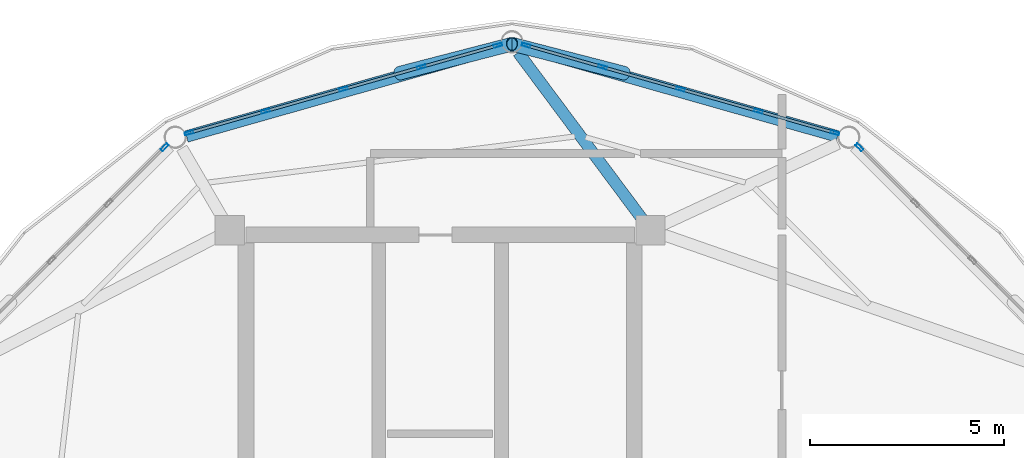
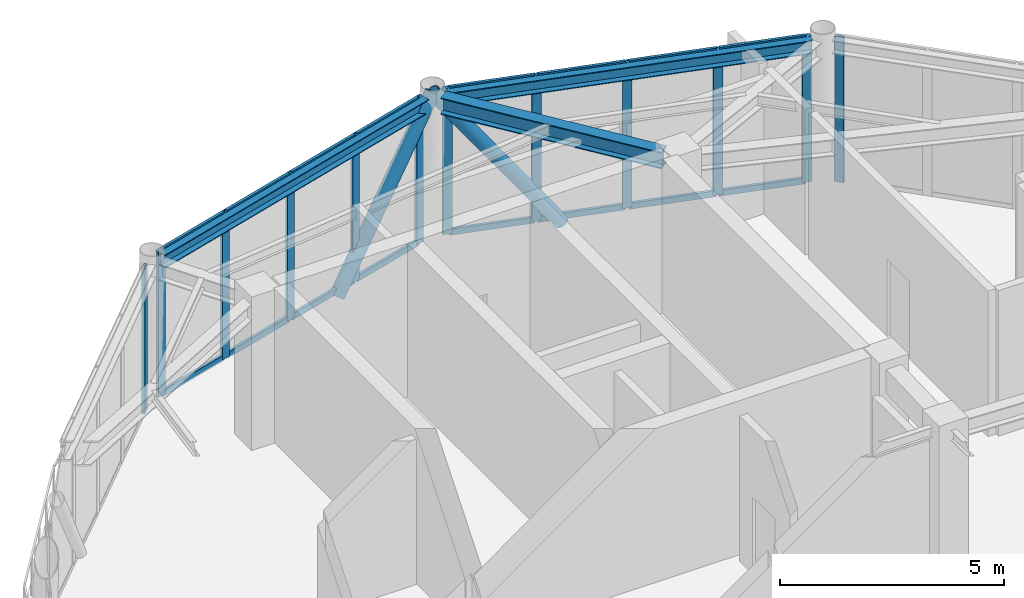
# One storey, part 14 of 20: 30 members, 3 beams, 4 elements without a shape of their own.
"""IFC4 building model written with IfcOpenShell, lengths in metres."""

import ifcopenshell
import ifcopenshell.guid

model = None  # the IFC model being written
_history = None  # IfcOwnerHistory: only IFC2X3 demands one
_inside = {}  # id of a spatial element -> (the spatial element, [elements in it])
_under = {}  # id of a project, library or spatial element -> (it, [spatial elements below it])
_declared = {}  # id of a project -> (the project, [libraries it declares])
_typed = {}  # id of a type object -> (the type object, [elements of that type])
_made_of = {}  # id of a material, layer set ... -> (it, [elements and type objects made of it])


def new_model(schema):
    """Start an empty IFC model of exactly this schema.

    Asked for "IFC4X3", IfcOpenShell would pick the latest addendum, in which some entities
    have other attributes; the version numbers below select the first issue.
    IFC2X3 requires an IfcOwnerHistory on every rooted entity: one is made here for all.
    """
    global model, _history
    if schema == "IFC4X3":
        model = ifcopenshell.file(schema_version=(4, 3, 0, 0))
    else:
        model = ifcopenshell.file(schema=schema)
    _inside.clear()
    _under.clear()
    _declared.clear()
    _typed.clear()
    _made_of.clear()
    _history = None
    if model.schema == "IFC2X3":
        org = make("IfcOrganization", Name="unknown")
        user = make(
            "IfcPersonAndOrganization",
            ThePerson=make("IfcPerson", FamilyName="unknown"),
            TheOrganization=org,
        )
        app = make(
            "IfcApplication",
            ApplicationDeveloper=org,
            Version="unknown",
            ApplicationFullName="unknown",
            ApplicationIdentifier="unknown",
        )
        _history = make(
            "IfcOwnerHistory",
            OwningUser=user,
            OwningApplication=app,
            ChangeAction="ADDED",
            CreationDate=0,
        )
    return model


def make(cls, **values):
    """One entity of the class cls with the attributes given. An attribute that is None is left unset."""
    return model.create_entity(
        cls, **{name: value for name, value in values.items() if value is not None}
    )


def rooted(cls, **values):
    """An entity with a GlobalId (a new one), such as an element, a storey or a relation."""
    return make(cls, GlobalId=ifcopenshell.guid.new(), OwnerHistory=_history, **values)


def si_unit(unit_type, name, prefix=None):
    """IfcSIUnit, for example si_unit("LENGTHUNIT", "METRE", prefix="MILLI")."""
    return make("IfcSIUnit", UnitType=unit_type, Prefix=prefix, Name=name)


def assignment(units):
    """IfcUnitAssignment: the units of a project."""
    return None if units is None else make("IfcUnitAssignment", Units=units)


def point(xyz):
    """IfcCartesianPoint."""
    return None if xyz is None else make("IfcCartesianPoint", Coordinates=xyz)


def direction(xyz):
    """IfcDirection."""
    return None if xyz is None else make("IfcDirection", DirectionRatios=xyz)


def frame(location, z_axis=None, x_axis=None):
    """IfcAxis2Placement3D, a coordinate frame: its origin and axes. An axis left out is left unset."""
    return make(
        "IfcAxis2Placement3D",
        Location=point(location),
        Axis=direction(z_axis),
        RefDirection=direction(x_axis),
    )


def frame_2d(location, x_axis=None):
    """IfcAxis2Placement2D, a coordinate frame in the plane: its origin and x axis."""
    return make(
        "IfcAxis2Placement2D", Location=point(location), RefDirection=direction(x_axis)
    )


def origin():
    """The frame at (0, 0, 0) with its axes left unset."""
    return frame((0.0, 0.0, 0.0))


def origin_2d():
    """The frame at (0, 0) in the plane with its x axis left unset."""
    return frame_2d((0.0, 0.0))


def place(relative_to, where):
    """IfcLocalPlacement: puts the frame where relative to a parent placement (None: the world)."""
    return make(
        "IfcLocalPlacement", PlacementRelTo=relative_to, RelativePlacement=where
    )


def context(
    kind, dimensions, precision=None, world=None, true_north=None, identifier=None
):
    """IfcGeometricRepresentationContext, for example the 3D "Model" context."""
    return make(
        "IfcGeometricRepresentationContext",
        ContextIdentifier=identifier,
        ContextType=kind,
        CoordinateSpaceDimension=dimensions,
        Precision=precision,
        WorldCoordinateSystem=world,
        TrueNorth=true_north,
    )


def subcontext(parent, identifier, kind, view, scale=None):
    """IfcGeometricRepresentationSubContext, for example "Body" below "Model"."""
    return make(
        "IfcGeometricRepresentationSubContext",
        ContextIdentifier=identifier,
        ContextType=kind,
        ParentContext=parent,
        TargetScale=scale,
        TargetView=view,
    )


def project(units=None, contexts=None):
    """IfcProject with its units and contexts."""
    return rooted(
        "IfcProject",
        Name="project",
        RepresentationContexts=contexts,
        UnitsInContext=assignment(units),
    )


def spatial(cls, under=None, at=None, **own):
    """A site, building, storey or space (cls), placed at a placement, below another one or the project."""
    s = rooted(cls, ObjectPlacement=at, **own)
    if under is not None:
        _under.setdefault(under.id(), (under, []))[1].append(s)
    return s


def profile(cls, at=None, kind="AREA", **sizes):
    """A parametric profile (cls). Its sizes go by their IFC names, for example OverallWidth=200.0."""
    return make(cls, ProfileType=kind, Position=at, **sizes)


def hollow_rectangle(**sizes):
    """IfcRectangleHollowProfileDef."""
    return profile("IfcRectangleHollowProfileDef", **sizes)


def hollow_circle(**sizes):
    """IfcCircleHollowProfileDef."""
    return profile("IfcCircleHollowProfileDef", **sizes)


def i_section(**sizes):
    """IfcIShapeProfileDef."""
    return profile("IfcIShapeProfileDef", **sizes)


def extrude(swept, where, along, depth):
    """IfcExtrudedAreaSolid: the profile swept, set in the frame where, extruded along a direction by depth."""
    return make(
        "IfcExtrudedAreaSolid",
        SweptArea=swept,
        Position=where,
        ExtrudedDirection=direction(along),
        Depth=depth,
    )


def shape(context_of_items, identifier, shape_type, items):
    """IfcShapeRepresentation: the items that make up one representation, for example the "Body"."""
    return make(
        "IfcShapeRepresentation",
        ContextOfItems=context_of_items,
        RepresentationIdentifier=identifier,
        RepresentationType=shape_type,
        Items=items,
    )


def material(Name=None, Category=None):
    """IfcMaterial."""
    return make("IfcMaterial", Name=Name, Category=Category)


def layer(
    of_material, thickness, ventilated=None, Name=None, Category=None, Priority=None
):
    """IfcMaterialLayer: one layer of a wall or slab, of a material (None: an air gap)."""
    return make(
        "IfcMaterialLayer",
        Material=of_material,
        LayerThickness=thickness,
        IsVentilated=ventilated,
        Name=Name,
        Category=Category,
        Priority=Priority,
    )


def layer_set(layers, Name=None):
    """IfcMaterialLayerSet."""
    return make("IfcMaterialLayerSet", MaterialLayers=layers, LayerSetName=Name)


def material_profile(
    of_material, cross_section, Name=None, Category=None, Priority=None
):
    """IfcMaterialProfile: a cross section and its material."""
    return make(
        "IfcMaterialProfile",
        Name=Name,
        Material=of_material,
        Profile=cross_section,
        Priority=Priority,
        Category=Category,
    )


def profile_set(profiles, Name=None, composite=None):
    """IfcMaterialProfileSet."""
    return make(
        "IfcMaterialProfileSet",
        Name=Name,
        MaterialProfiles=profiles,
        CompositeProfile=composite,
    )


def made_of(thing, what):
    """Note that an element or type object is made of a material, layer set ...; save() writes the relation."""
    if what is not None:
        _made_of.setdefault(what.id(), (what, []))[1].append(thing)
    return thing


def type_object(cls, material=None, **own):
    """A type object (cls), such as IfcWallType, which elements share."""
    return made_of(rooted(cls, **own), material)


def element(
    cls,
    number,
    at=None,
    inside=None,
    cuts=None,
    type_object=None,
    material=None,
    context=None,
    identifier="Body",
    shape_type=None,
    held_by="IfcProductDefinitionShape",
    body=None,
    shapes=None,
    **own,
):
    """One element of the class cls, such as IfcWall. Its Tag is "e" and its number.

    at: its placement. inside: the storey or other place that contains it. cuts: it is an
    opening in that element (IfcRelVoidsElement). A single representation is given by context,
    identifier, shape_type and body (its items); several are given by shapes. held_by: the class
    of the entity that holds the representations. save() writes the other relations.
    """
    e = rooted(cls, Tag="e%d" % number, ObjectPlacement=at, **own)
    if body is not None:
        shapes = [shape(context, identifier, shape_type, body)]
    if shapes is not None:
        e.Representation = make(held_by, Representations=shapes)
    if inside is not None:
        _inside.setdefault(inside.id(), (inside, []))[1].append(e)
    if cuts is not None:
        rooted(
            "IfcRelVoidsElement", RelatingBuildingElement=cuts, RelatedOpeningElement=e
        )
    if type_object is not None:
        _typed.setdefault(type_object.id(), (type_object, []))[1].append(e)
    return made_of(e, material)


def aggregate(whole, parts):
    """IfcRelAggregates: a whole, such as a stair, and the parts it consists of."""
    return rooted("IfcRelAggregates", RelatingObject=whole, RelatedObjects=parts)


def save(model, path):
    """Write the relations noted so far, then the file.

    IfcRelAggregates (storeys below a building ...), IfcRelContainedInSpatialStructure (elements
    in a storey), IfcRelDefinesByType, IfcRelAssociatesMaterial and IfcRelDeclares: one each for
    every whole, place, type object, material and project.
    """
    for whole, parts in _under.values():
        aggregate(whole, parts)
    for where, things in _inside.values():
        rooted(
            "IfcRelContainedInSpatialStructure",
            RelatedElements=things,
            RelatingStructure=where,
        )
    for kind, things in _typed.values():
        rooted("IfcRelDefinesByType", RelatedObjects=things, RelatingType=kind)
    for what, things in _made_of.values():
        rooted("IfcRelAssociatesMaterial", RelatedObjects=things, RelatingMaterial=what)
    for by, libraries in _declared.values():
        rooted("IfcRelDeclares", RelatingContext=by, RelatedDefinitions=libraries)
    model.write(path)


model = new_model("IFC4")

# Units and contexts
model_context = context("Model", 3, precision=1e-05, world=origin(), true_north=direction((0.0, 1.0)))
body_context = subcontext(model_context, "Body", "Model", "MODEL_VIEW")
ifc_project = project(units=[si_unit("LENGTHUNIT", "METRE"), si_unit("AREAUNIT", "SQUARE_METRE"), si_unit("VOLUMEUNIT", "CUBIC_METRE"), si_unit("PLANEANGLEUNIT", "RADIAN"), si_unit("MASSUNIT", "GRAM", prefix="KILO")], contexts=[model_context])

# Site, building, storey
site_placement = place(None, origin())
site = spatial("IfcSite", under=ifc_project, at=site_placement, CompositionType="ELEMENT")
building_placement = place(site_placement, origin())
building = spatial("IfcBuilding", under=site, at=building_placement, Name="Varnakorn Sky Granary", CompositionType="ELEMENT")
storey_placement = place(building_placement, frame((0.0, 0.0, 302.39990234375)))
storey = spatial("IfcBuildingStorey", under=building, at=storey_placement, Name="L77", CompositionType="ELEMENT", Elevation=302.39990234375)

# Beams
ifc_material_1 = material(Name="Steel S355JR", Category="steel")
ifc_material_profile_1 = material_profile(ifc_material_1, i_section(OverallWidth=0.300048828125, OverallDepth=0.449951171875, WebThickness=0.013916015625, FlangeThickness=0.02587890625, at=origin_2d()), Name="HE 450 B")
ifc_profile_set_1 = profile_set([ifc_material_profile_1], Name="Steel S355JR")
beam_type_1 = type_object("IfcBeamType", Name="BM-RAD-Z5", PredefinedType="BEAM", material=ifc_profile_set_1)
beam_placement = place(storey_placement, frame((8.2080078125, 12.90478515625, 3.735107421875), z_axis=(-0.597262403932, 0.802045896972, 0.0), x_axis=(-0.802045896972, -0.597262403932, 0.0)))
element("IfcBeam", 1, at=beam_placement, inside=storey, type_object=beam_type_1, Name="Radial Floor Girder RG04 L77", PredefinedType="BEAM", context=body_context, shape_type="SweptSolid", body=[
    extrude(i_section(OverallWidth=0.300048828125, OverallDepth=0.449951171875, WebThickness=0.013916015625, FlangeThickness=0.02587890625, at=origin_2d()), origin(), (0.0, 0.0, 1.0), 5.357666015625),
])
ifc_material_profile_2 = material_profile(ifc_material_1, i_section(OverallWidth=0.300048828125, OverallDepth=0.360107421875, WebThickness=0.012451171875, FlangeThickness=0.0224609375, at=origin_2d()), Name="HE 360 B")
ifc_profile_set_2 = profile_set([ifc_material_profile_2], Name="Steel S355JR")
beam_type_2 = type_object("IfcBeamType", Name="BM-SPD-Z5", PredefinedType="SPANDREL", material=ifc_profile_set_2)
for number, where, z_axis, x_axis, name in (
    (2, (13.2314453125, 15.036376953125, 3.780029296875), (-0.962040266262, 0.272907541286, 0.0), (-0.272907541286, -0.962040266262, 0.0), "Perimeter Spandrel Ring Beam RB03 L77"),
    (3, (4.595458984375, 17.341796875, 3.780029296875), (-0.962040266262, -0.272907541286, 0.0), (0.272907541286, -0.962040266262, 0.0), "Perimeter Spandrel Ring Beam RB04 L77"),
):
    element("IfcBeam", number, at=place(storey_placement, frame(where, z_axis=z_axis, x_axis=x_axis)), inside=storey, type_object=beam_type_2, Name=name, PredefinedType="SPANDREL", context=body_context, shape_type="SweptSolid", body=[
        extrude(i_section(OverallWidth=0.300048828125, OverallDepth=0.360107421875, WebThickness=0.012451171875, FlangeThickness=0.0224609375, at=origin_2d()), origin(), (0.0, 0.0, 1.0), 8.447509765625),
    ])

# Curtain wall, member
ifc_material_2 = material(Name="Anodised Bronze Aluminium Alloy 6063-T6", Category="aluminium")
ifc_layer = layer(ifc_material_2, 0.22998046875, Name="Anodised Bronze Aluminium Alloy 6063-T6")
ifc_layer_set = layer_set([ifc_layer], Name="Anodised Bronze Aluminium Alloy 6063-T6")
curtain_wall_type = type_object("IfcCurtainWallType", Name="CW-LNT-1", PredefinedType="USERDEFINED", material=ifc_layer_set)
curtain_wall_1_placement = place(storey_placement, origin())
curtain_wall_1 = element("IfcCurtainWall", 4, at=curtain_wall_1_placement, inside=storey, type_object=curtain_wall_type, Name="Unitised Curtain Wall CW7 CW-L77-B02", ObjectType="CURTAIN WALL", PredefinedType="USERDEFINED")
ifc_material_profile_3 = material_profile(ifc_material_2, hollow_rectangle(XDim=0.074951171875, YDim=0.219970703125, WallThickness=0.00390625, at=origin_2d()), Name="ALU MULL 75x220")
ifc_profile_set_3 = profile_set([ifc_material_profile_3], Name="Anodised Bronze Aluminium Alloy 6063-T6")
member_type_1 = type_object("IfcMemberType", Name="CW-LNT-1-MULL", PredefinedType="MULLION", material=ifc_profile_set_3)
member_1_placement = place(storey_placement, frame((13.795654296875, 14.760009765625, 0.0), z_axis=(0.0, 0.0, 1.0), x_axis=(0.706962264777, 0.707251268066, 0.0)))
member_1 = element("IfcMember", 5, at=member_1_placement, type_object=member_type_1, Name="CW7 mullion 1", PredefinedType="MULLION", context=body_context, shape_type="SweptSolid", body=[
    extrude(hollow_rectangle(XDim=0.074951171875, YDim=0.219970703125, WallThickness=0.00390625, at=origin_2d()), origin(), (0.0, 0.0, 1.0), 3.960205078125),
])
aggregate(curtain_wall_1, [member_1])

# Curtain wall, members
curtain_wall_2_placement = place(storey_placement, origin())
curtain_wall_2 = element("IfcCurtainWall", 6, at=curtain_wall_2_placement, inside=storey, type_object=curtain_wall_type, Name="Unitised Curtain Wall CW7 CW-L77-B03", ObjectType="CURTAIN WALL", PredefinedType="USERDEFINED")
member_2_placement = place(storey_placement, frame((5.212646484375, 17.383056640625, 0.0), z_axis=(0.0, 0.0, 1.0), x_axis=(0.272649549095, 0.962113415029, 0.0)))
member_2 = element("IfcMember", 7, at=member_2_placement, type_object=member_type_1, Name="CW7 mullion 1", PredefinedType="MULLION", context=body_context, shape_type="SweptSolid", body=[
    extrude(hollow_rectangle(XDim=0.074951171875, YDim=0.219970703125, WallThickness=0.00390625, at=origin_2d()), origin(), (0.0, 0.0, 1.0), 3.960205078125),
])
member_3_placement = place(storey_placement, frame((7.18310546875, 16.82470703125, 0.0), z_axis=(0.0, 0.0, 1.0), x_axis=(0.272649549095, 0.962113415029, 0.0)))
member_3 = element("IfcMember", 8, at=member_3_placement, type_object=member_type_1, Name="CW7 mullion 2", PredefinedType="MULLION", context=body_context, shape_type="SweptSolid", body=[
    extrude(hollow_rectangle(XDim=0.074951171875, YDim=0.219970703125, WallThickness=0.00390625, at=origin_2d()), origin(), (0.0, 0.0, 1.0), 3.960205078125),
])
member_4_placement = place(storey_placement, frame((9.189453125, 16.256103515625, 0.0), z_axis=(0.0, 0.0, 1.0), x_axis=(0.272649549095, 0.962113415029, 0.0)))
member_4 = element("IfcMember", 9, at=member_4_placement, type_object=member_type_1, Name="CW7 mullion 3", PredefinedType="MULLION", context=body_context, shape_type="SweptSolid", body=[
    extrude(hollow_rectangle(XDim=0.074951171875, YDim=0.219970703125, WallThickness=0.00390625, at=origin_2d()), origin(), (0.0, 0.0, 1.0), 3.960205078125),
])
member_5_placement = place(storey_placement, frame((11.196044921875, 15.6875, 0.0), z_axis=(0.0, 0.0, 1.0), x_axis=(0.272649549095, 0.962113415029, 0.0)))
member_5 = element("IfcMember", 10, at=member_5_placement, type_object=member_type_1, Name="CW7 mullion 4", PredefinedType="MULLION", context=body_context, shape_type="SweptSolid", body=[
    extrude(hollow_rectangle(XDim=0.074951171875, YDim=0.219970703125, WallThickness=0.00390625, at=origin_2d()), origin(), (0.0, 0.0, 1.0), 3.960205078125),
])
member_6_placement = place(storey_placement, frame((13.166259765625, 15.129150390625, 0.0), z_axis=(0.0, 0.0, 1.0), x_axis=(0.272649549095, 0.962113415029, 0.0)))
member_6 = element("IfcMember", 11, at=member_6_placement, type_object=member_type_1, Name="CW7 mullion 5", PredefinedType="MULLION", context=body_context, shape_type="SweptSolid", body=[
    extrude(hollow_rectangle(XDim=0.074951171875, YDim=0.219970703125, WallThickness=0.00390625, at=origin_2d()), origin(), (0.0, 0.0, 1.0), 3.960205078125),
])

curtain_wall_3_placement = place(storey_placement, origin())
curtain_wall_3 = element("IfcCurtainWall", 12, at=curtain_wall_3_placement, inside=storey, type_object=curtain_wall_type, Name="Unitised Curtain Wall CW7 CW-L77-B04", ObjectType="CURTAIN WALL", PredefinedType="USERDEFINED")
member_7_placement = place(storey_placement, frame((-3.46630859375, 15.129150390625, 0.0), z_axis=(0.0, 0.0, 1.0), x_axis=(-0.272649549095, 0.962113415029, 0.0)))
member_7 = element("IfcMember", 13, at=member_7_placement, type_object=member_type_1, Name="CW7 mullion 1", PredefinedType="MULLION", context=body_context, shape_type="SweptSolid", body=[
    extrude(hollow_rectangle(XDim=0.074951171875, YDim=0.219970703125, WallThickness=0.00390625, at=origin_2d()), origin(), (0.0, 0.0, 1.0), 3.960205078125),
])
member_8_placement = place(storey_placement, frame((-1.495849609375, 15.6875, 0.0), z_axis=(0.0, 0.0, 1.0), x_axis=(-0.272649549095, 0.962113415029, 0.0)))
member_8 = element("IfcMember", 14, at=member_8_placement, type_object=member_type_1, Name="CW7 mullion 2", PredefinedType="MULLION", context=body_context, shape_type="SweptSolid", body=[
    extrude(hollow_rectangle(XDim=0.074951171875, YDim=0.219970703125, WallThickness=0.00390625, at=origin_2d()), origin(), (0.0, 0.0, 1.0), 3.960205078125),
])
member_9_placement = place(storey_placement, frame((0.510498046875, 16.256103515625, 0.0), z_axis=(0.0, 0.0, 1.0), x_axis=(-0.272649549095, 0.962113415029, 0.0)))
member_9 = element("IfcMember", 15, at=member_9_placement, type_object=member_type_1, Name="CW7 mullion 3", PredefinedType="MULLION", context=body_context, shape_type="SweptSolid", body=[
    extrude(hollow_rectangle(XDim=0.074951171875, YDim=0.219970703125, WallThickness=0.00390625, at=origin_2d()), origin(), (0.0, 0.0, 1.0), 3.960205078125),
])
member_10_placement = place(storey_placement, frame((2.516845703125, 16.82470703125, 0.0), z_axis=(0.0, 0.0, 1.0), x_axis=(-0.272649549095, 0.962113415029, 0.0)))
member_10 = element("IfcMember", 16, at=member_10_placement, type_object=member_type_1, Name="CW7 mullion 4", PredefinedType="MULLION", context=body_context, shape_type="SweptSolid", body=[
    extrude(hollow_rectangle(XDim=0.074951171875, YDim=0.219970703125, WallThickness=0.00390625, at=origin_2d()), origin(), (0.0, 0.0, 1.0), 3.960205078125),
])
member_11_placement = place(storey_placement, frame((4.4873046875, 17.383056640625, 0.0), z_axis=(0.0, 0.0, 1.0), x_axis=(-0.272649549095, 0.962113415029, 0.0)))
member_11 = element("IfcMember", 17, at=member_11_placement, type_object=member_type_1, Name="CW7 mullion 5", PredefinedType="MULLION", context=body_context, shape_type="SweptSolid", body=[
    extrude(hollow_rectangle(XDim=0.074951171875, YDim=0.219970703125, WallThickness=0.00390625, at=origin_2d()), origin(), (0.0, 0.0, 1.0), 3.960205078125),
])

# Curtain wall, member
curtain_wall_4_placement = place(storey_placement, origin())
curtain_wall_4 = element("IfcCurtainWall", 18, at=curtain_wall_4_placement, inside=storey, type_object=curtain_wall_type, Name="Unitised Curtain Wall CW7 CW-L77-B05", ObjectType="CURTAIN WALL", PredefinedType="USERDEFINED")
member_12_placement = place(storey_placement, frame((-4.095703125, 14.760009765625, 0.0), z_axis=(0.0, 0.0, 1.0), x_axis=(-0.706962264777, 0.707251268066, 0.0)))
member_12 = element("IfcMember", 19, at=member_12_placement, type_object=member_type_1, Name="CW7 mullion 5", PredefinedType="MULLION", context=body_context, shape_type="SweptSolid", body=[
    extrude(hollow_rectangle(XDim=0.074951171875, YDim=0.219970703125, WallThickness=0.00390625, at=origin_2d()), origin(), (0.0, 0.0, 1.0), 3.960205078125),
])
aggregate(curtain_wall_4, [member_12])

# Member
ifc_material_profile_4 = material_profile(ifc_material_2, hollow_rectangle(XDim=0.074951171875, YDim=0.159912109375, WallThickness=0.00390625, at=origin_2d()), Name="ALU TRAN 75x160")
ifc_profile_set_4 = profile_set([ifc_material_profile_4], Name="Anodised Bronze Aluminium Alloy 6063-T6")
member_type_2 = type_object("IfcMemberType", Name="CW-LNT-1-TRAN", PredefinedType="USERDEFINED", material=ifc_profile_set_4)
member_13_placement = place(storey_placement, frame((5.248779296875, 17.373046875, 0.03759765625), z_axis=(0.962091559003, -0.27272666187, 0.0), x_axis=(0.27272666187, 0.962091559003, 0.0)))
member_13 = element("IfcMember", 20, at=member_13_placement, type_object=member_type_2, Name="CW7 transom 1.1", ObjectType="TRANSOM", PredefinedType="USERDEFINED", context=body_context, shape_type="SweptSolid", body=[
    extrude(hollow_rectangle(XDim=0.074951171875, YDim=0.159912109375, WallThickness=0.00390625, at=origin_2d()), origin(), (0.0, 0.0, 1.0), 1.972900390625),
])

member_14_placement = place(storey_placement, frame((5.248779296875, 17.373046875, 3.922607421875), z_axis=(0.962091559003, -0.27272666187, 0.0), x_axis=(0.27272666187, 0.962091559003, 0.0)))
member_14 = element("IfcMember", 21, at=member_14_placement, type_object=member_type_2, Name="CW7 transom 1.2", ObjectType="TRANSOM", PredefinedType="USERDEFINED", context=body_context, shape_type="SweptSolid", body=[
    extrude(hollow_rectangle(XDim=0.074951171875, YDim=0.159912109375, WallThickness=0.00390625, at=origin_2d()), origin(), (0.0, 0.0, 1.0), 1.972900390625),
])

member_15_placement = place(storey_placement, frame((7.21923828125, 16.814697265625, 0.03759765625), z_axis=(0.962081058042, -0.272763703151, 0.0), x_axis=(0.272763703151, 0.962081058042, 0.0)))
member_15 = element("IfcMember", 22, at=member_15_placement, type_object=member_type_2, Name="CW7 transom 2.1", ObjectType="TRANSOM", PredefinedType="USERDEFINED", context=body_context, shape_type="SweptSolid", body=[
    extrude(hollow_rectangle(XDim=0.074951171875, YDim=0.159912109375, WallThickness=0.00390625, at=origin_2d()), origin(), (0.0, 0.0, 1.0), 2.01025390625),
])

member_16_placement = place(storey_placement, frame((7.21923828125, 16.814697265625, 3.922607421875), z_axis=(0.962081058042, -0.272763703151, 0.0), x_axis=(0.272763703151, 0.962081058042, 0.0)))
member_16 = element("IfcMember", 23, at=member_16_placement, type_object=member_type_2, Name="CW7 transom 2.2", ObjectType="TRANSOM", PredefinedType="USERDEFINED", context=body_context, shape_type="SweptSolid", body=[
    extrude(hollow_rectangle(XDim=0.074951171875, YDim=0.159912109375, WallThickness=0.00390625, at=origin_2d()), origin(), (0.0, 0.0, 1.0), 2.01025390625),
])

member_17_placement = place(storey_placement, frame((9.2255859375, 16.24609375, 0.03759765625), z_axis=(0.962090091913, -0.272731837238, 0.0), x_axis=(0.272731837238, 0.962090091913, 0.0)))
member_17 = element("IfcMember", 24, at=member_17_placement, type_object=member_type_2, Name="CW7 transom 3.1", ObjectType="TRANSOM", PredefinedType="USERDEFINED", context=body_context, shape_type="SweptSolid", body=[
    extrude(hollow_rectangle(XDim=0.074951171875, YDim=0.159912109375, WallThickness=0.00390625, at=origin_2d()), origin(), (0.0, 0.0, 1.0), 2.010498046875),
])

member_18_placement = place(storey_placement, frame((9.2255859375, 16.24609375, 3.922607421875), z_axis=(0.962090091913, -0.272731837238, 0.0), x_axis=(0.272731837238, 0.962090091913, 0.0)))
member_18 = element("IfcMember", 25, at=member_18_placement, type_object=member_type_2, Name="CW7 transom 3.2", ObjectType="TRANSOM", PredefinedType="USERDEFINED", context=body_context, shape_type="SweptSolid", body=[
    extrude(hollow_rectangle(XDim=0.074951171875, YDim=0.159912109375, WallThickness=0.00390625, at=origin_2d()), origin(), (0.0, 0.0, 1.0), 2.010498046875),
])

member_19_placement = place(storey_placement, frame((11.23193359375, 15.677490234375, 0.03759765625), z_axis=(0.962091559003, -0.27272666187, 0.0), x_axis=(0.27272666187, 0.962091559003, 0.0)))
member_19 = element("IfcMember", 26, at=member_19_placement, type_object=member_type_2, Name="CW7 transom 4.1", ObjectType="TRANSOM", PredefinedType="USERDEFINED", context=body_context, shape_type="SweptSolid", body=[
    extrude(hollow_rectangle(XDim=0.074951171875, YDim=0.159912109375, WallThickness=0.00390625, at=origin_2d()), origin(), (0.0, 0.0, 1.0), 1.972900390625),
])

member_20_placement = place(storey_placement, frame((11.23193359375, 15.677490234375, 3.922607421875), z_axis=(0.962091559003, -0.27272666187, 0.0), x_axis=(0.27272666187, 0.962091559003, 0.0)))
member_20 = element("IfcMember", 27, at=member_20_placement, type_object=member_type_2, Name="CW7 transom 4.2", ObjectType="TRANSOM", PredefinedType="USERDEFINED", context=body_context, shape_type="SweptSolid", body=[
    extrude(hollow_rectangle(XDim=0.074951171875, YDim=0.159912109375, WallThickness=0.00390625, at=origin_2d()), origin(), (0.0, 0.0, 1.0), 1.972900390625),
])

aggregate(curtain_wall_2, [member_2, member_3, member_4, member_5, member_6, member_13, member_14, member_15, member_16, member_17, member_18, member_19, member_20])

member_21_placement = place(storey_placement, frame((-3.43017578125, 15.139404296875, 0.03759765625), z_axis=(0.962091559003, 0.27272666187, 0.0), x_axis=(-0.27272666187, 0.962091559003, 0.0)))
member_21 = element("IfcMember", 28, at=member_21_placement, type_object=member_type_2, Name="CW7 transom 1.1", ObjectType="TRANSOM", PredefinedType="USERDEFINED", context=body_context, shape_type="SweptSolid", body=[
    extrude(hollow_rectangle(XDim=0.074951171875, YDim=0.159912109375, WallThickness=0.00390625, at=origin_2d()), origin(), (0.0, 0.0, 1.0), 1.972900390625),
])

member_22_placement = place(storey_placement, frame((-3.43017578125, 15.139404296875, 3.922607421875), z_axis=(0.962091559003, 0.27272666187, 0.0), x_axis=(-0.27272666187, 0.962091559003, 0.0)))
member_22 = element("IfcMember", 29, at=member_22_placement, type_object=member_type_2, Name="CW7 transom 1.2", ObjectType="TRANSOM", PredefinedType="USERDEFINED", context=body_context, shape_type="SweptSolid", body=[
    extrude(hollow_rectangle(XDim=0.074951171875, YDim=0.159912109375, WallThickness=0.00390625, at=origin_2d()), origin(), (0.0, 0.0, 1.0), 1.972900390625),
])

member_23_placement = place(storey_placement, frame((-1.4599609375, 15.69775390625, 0.03759765625), z_axis=(0.962090091913, 0.272731837238, 0.0), x_axis=(-0.272731837238, 0.962090091913, 0.0)))
member_23 = element("IfcMember", 30, at=member_23_placement, type_object=member_type_2, Name="CW7 transom 2.1", ObjectType="TRANSOM", PredefinedType="USERDEFINED", context=body_context, shape_type="SweptSolid", body=[
    extrude(hollow_rectangle(XDim=0.074951171875, YDim=0.159912109375, WallThickness=0.00390625, at=origin_2d()), origin(), (0.0, 0.0, 1.0), 2.010498046875),
])

member_24_placement = place(storey_placement, frame((-1.4599609375, 15.69775390625, 3.922607421875), z_axis=(0.962090091913, 0.272731837238, 0.0), x_axis=(-0.272731837238, 0.962090091913, 0.0)))
member_24 = element("IfcMember", 31, at=member_24_placement, type_object=member_type_2, Name="CW7 transom 2.2", ObjectType="TRANSOM", PredefinedType="USERDEFINED", context=body_context, shape_type="SweptSolid", body=[
    extrude(hollow_rectangle(XDim=0.074951171875, YDim=0.159912109375, WallThickness=0.00390625, at=origin_2d()), origin(), (0.0, 0.0, 1.0), 2.010498046875),
])

member_25_placement = place(storey_placement, frame((0.546630859375, 16.266357421875, 0.03759765625), z_axis=(0.962090091913, 0.272731837238, 0.0), x_axis=(-0.272731837238, 0.962090091913, 0.0)))
member_25 = element("IfcMember", 32, at=member_25_placement, type_object=member_type_2, Name="CW7 transom 3.1", ObjectType="TRANSOM", PredefinedType="USERDEFINED", context=body_context, shape_type="SweptSolid", body=[
    extrude(hollow_rectangle(XDim=0.074951171875, YDim=0.159912109375, WallThickness=0.00390625, at=origin_2d()), origin(), (0.0, 0.0, 1.0), 2.010498046875),
])

member_26_placement = place(storey_placement, frame((0.546630859375, 16.266357421875, 3.922607421875), z_axis=(0.962090091913, 0.272731837238, 0.0), x_axis=(-0.272731837238, 0.962090091913, 0.0)))
member_26 = element("IfcMember", 33, at=member_26_placement, type_object=member_type_2, Name="CW7 transom 3.2", ObjectType="TRANSOM", PredefinedType="USERDEFINED", context=body_context, shape_type="SweptSolid", body=[
    extrude(hollow_rectangle(XDim=0.074951171875, YDim=0.159912109375, WallThickness=0.00390625, at=origin_2d()), origin(), (0.0, 0.0, 1.0), 2.010498046875),
])

member_27_placement = place(storey_placement, frame((2.552978515625, 16.8349609375, 0.03759765625), z_axis=(0.962091559003, 0.27272666187, 0.0), x_axis=(-0.27272666187, 0.962091559003, 0.0)))
member_27 = element("IfcMember", 34, at=member_27_placement, type_object=member_type_2, Name="CW7 transom 4.1", ObjectType="TRANSOM", PredefinedType="USERDEFINED", context=body_context, shape_type="SweptSolid", body=[
    extrude(hollow_rectangle(XDim=0.074951171875, YDim=0.159912109375, WallThickness=0.00390625, at=origin_2d()), origin(), (0.0, 0.0, 1.0), 1.972900390625),
])

member_28_placement = place(storey_placement, frame((2.552978515625, 16.8349609375, 3.922607421875), z_axis=(0.962091559003, 0.27272666187, 0.0), x_axis=(-0.27272666187, 0.962091559003, 0.0)))
member_28 = element("IfcMember", 35, at=member_28_placement, type_object=member_type_2, Name="CW7 transom 4.2", ObjectType="TRANSOM", PredefinedType="USERDEFINED", context=body_context, shape_type="SweptSolid", body=[
    extrude(hollow_rectangle(XDim=0.074951171875, YDim=0.159912109375, WallThickness=0.00390625, at=origin_2d()), origin(), (0.0, 0.0, 1.0), 1.972900390625),
])

aggregate(curtain_wall_3, [member_7, member_8, member_9, member_10, member_11, member_21, member_22, member_23, member_24, member_25, member_26, member_27, member_28])

# Members
ifc_material_3 = material(Name="Steel S460M", Category="steel")
ifc_material_profile_5 = material_profile(ifc_material_3, hollow_circle(Radius=0.177734375, WallThickness=0.01416015625, at=origin_2d()), Name="CHS 355.6x14")
ifc_profile_set_5 = profile_set([ifc_material_profile_5], Name="Steel S460M")
member_type_3 = type_object("IfcMemberType", Name="MB-DIAG-T5", PredefinedType="BRACE", material=ifc_profile_set_5)
member_29_placement = place(storey_placement, frame((7.742919921875, 16.666015625, -0.1298828125), z_axis=(-0.571110823465, 0.147681961608, 0.807479080556), x_axis=(-0.250352451799, -0.968154765458, 0.0)))
element("IfcMember", 36, at=member_29_placement, inside=storey, type_object=member_type_3, Name="Perimeter CHS Diagrid Brace DG03 L77", PredefinedType="BRACE", context=body_context, shape_type="SweptSolid", body=[
    extrude(hollow_circle(Radius=0.177734375, WallThickness=0.01416015625, at=origin_2d()), origin(), (0.0, 0.0, 1.0), 5.065185546875),
])
member_30_placement = place(storey_placement, frame((1.95703125, 16.666015625, -0.1298828125), z_axis=(0.571143300223, 0.147677896361, 0.807456853049), x_axis=(-0.250332649002, 0.968159885992, 0.0)))
element("IfcMember", 37, at=member_30_placement, inside=storey, type_object=member_type_3, Name="Perimeter CHS Diagrid Brace DG04 L77", PredefinedType="BRACE", context=body_context, shape_type="SweptSolid", body=[
    extrude(hollow_circle(Radius=0.177734375, WallThickness=0.01416015625, at=origin_2d()), origin(), (0.0, 0.0, 1.0), 5.0654296875),
])

save(model, "model.ifc")
